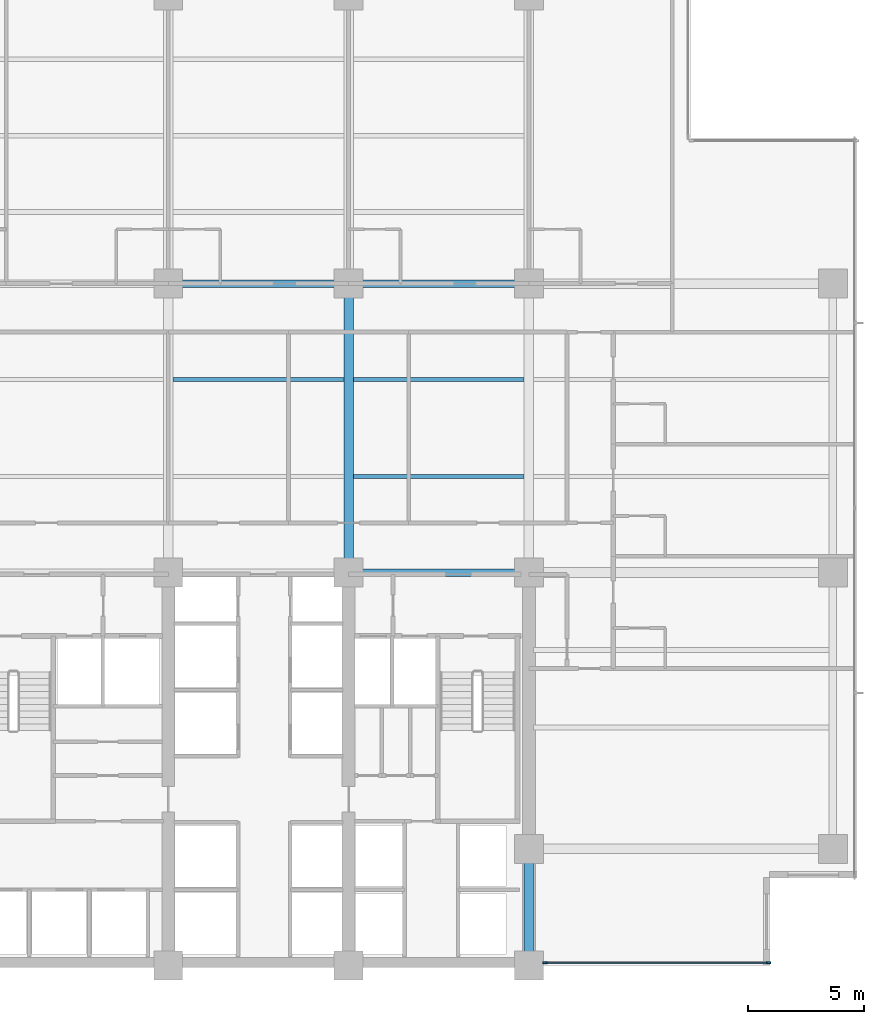
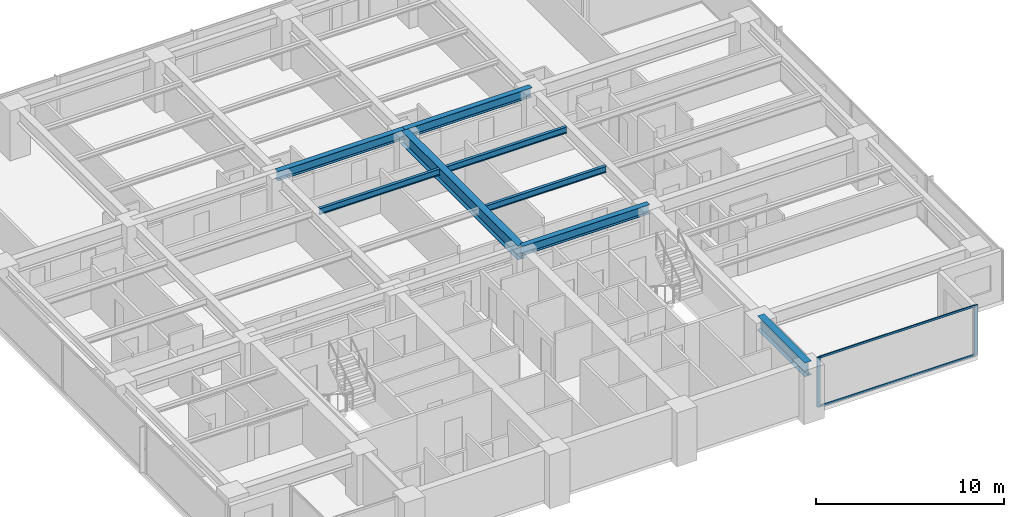
# One storey, part 3 of 17: 8 beams, 4 members, 1 element without a shape of its own.
"""IFC4 building model written with IfcOpenShell, lengths in metres."""

from ifc_helpers import new_model, si_unit, direction, frame, origin, origin_2d, place, context, subcontext, project, spatial, rectangle, i_section, extrude, material, layer, layer_set, material_profile, profile_set, type_object, element, aggregate, save


model = new_model("IFC4")

# Units and contexts
model_context = context("Model", 3, precision=1e-05, world=origin(), true_north=direction((0.0, 1.0)))
body_context = subcontext(model_context, "Body", "Model", "MODEL_VIEW")
ifc_project = project(units=[si_unit("LENGTHUNIT", "METRE"), si_unit("AREAUNIT", "SQUARE_METRE"), si_unit("VOLUMEUNIT", "CUBIC_METRE"), si_unit("PLANEANGLEUNIT", "RADIAN"), si_unit("MASSUNIT", "GRAM", prefix="KILO")], contexts=[model_context])

# Site, building, storey
site_placement = place(None, origin())
site = spatial("IfcSite", under=ifc_project, at=site_placement, CompositionType="ELEMENT")
building_placement = place(site_placement, origin())
building = spatial("IfcBuilding", under=site, at=building_placement, Name="Qalmaran Belvedere Hotel", CompositionType="ELEMENT")
storey_placement = place(building_placement, frame((0.0, 0.0, 88.199951171875)))
storey = spatial("IfcBuildingStorey", under=building, at=storey_placement, Name="L21", CompositionType="ELEMENT", Elevation=88.199951171875)

# Beams
ifc_material_1 = material(Name="Steel S355JR", Category="steel")
ifc_material_profile_1 = material_profile(ifc_material_1, i_section(OverallWidth=0.41796875, OverallDepth=0.912109375, WebThickness=0.019287109375, FlangeThickness=0.031982421875, FilletRadius=0.02392578125, at=origin_2d()), Name="W920X342")
ifc_profile_set_1 = profile_set([ifc_material_profile_1], Name="Steel S355JR")
beam_type_1 = type_object("IfcBeamType", Name="BM-PG2-W920X342", PredefinedType="USERDEFINED", material=ifc_profile_set_1)
beam_1_placement = place(storey_placement, frame((37.0, 20.5, 2.783935546875), z_axis=(0.0, 1.0, 0.0), x_axis=(-1.0, 0.0, 0.0)))
element("IfcBeam", 1, at=beam_1_placement, inside=storey, type_object=beam_type_1, Name="L21 Mid-Plate N-S Girder 18", ObjectType="GIRDER", PredefinedType="USERDEFINED", context=body_context, shape_type="SweptSolid", body=[
    extrude(i_section(OverallWidth=0.41796875, OverallDepth=0.912109375, WebThickness=0.019287109375, FlangeThickness=0.031982421875, FilletRadius=0.02392578125, at=origin_2d()), origin(), (0.0, 0.0, 1.0), 12.5),
])
beam_2_placement = place(storey_placement, frame((44.800048828125, 3.5, 2.783935546875), z_axis=(0.0, 1.0, 0.0), x_axis=(-1.0, 0.0, 0.0)))
element("IfcBeam", 2, at=beam_2_placement, inside=storey, type_object=beam_type_1, Name="L21 East Core Edge Girder A", ObjectType="GIRDER", PredefinedType="USERDEFINED", context=body_context, shape_type="SweptSolid", body=[
    extrude(i_section(OverallWidth=0.41796875, OverallDepth=0.912109375, WebThickness=0.019287109375, FlangeThickness=0.031982421875, FilletRadius=0.02392578125, at=origin_2d()), origin(), (0.0, 0.0, 1.0), 5.050048828125),
])
ifc_material_profile_2 = material_profile(ifc_material_1, i_section(OverallWidth=0.177978515625, OverallDepth=0.406982421875, WebThickness=0.0078125, FlangeThickness=0.0126953125, FilletRadius=0.014892578125, at=origin_2d()), Name="W410X60")
ifc_profile_set_2 = profile_set([ifc_material_profile_2], Name="Steel S355JR")
beam_type_2 = type_object("IfcBeamType", Name="BM-SB2-W410X60", PredefinedType="BEAM", material=ifc_profile_set_2)
for number, where, z_axis, x_axis, name in (
    (3, (37.20703125, 24.64990234375, 3.03662109375), (1.0, 0.0, 0.0), (0.0, 1.0, 0.0), "L21 Secondary Floor Beam 031"),
    (4, (29.406982421875, 28.85009765625, 3.03662109375), (1.0, 0.0, 0.0), (0.0, 1.0, 0.0), "L21 Secondary Floor Beam 035"),
    (5, (37.20703125, 28.85009765625, 3.03662109375), (1.0, 0.0, 0.0), (0.0, 1.0, 0.0), "L21 Secondary Floor Beam 036"),
):
    element("IfcBeam", number, at=place(storey_placement, frame(where, z_axis=z_axis, x_axis=x_axis)), inside=storey, type_object=beam_type_2, Name=name, PredefinedType="BEAM", context=body_context, shape_type="SweptSolid", body=[
        extrude(i_section(OverallWidth=0.177978515625, OverallDepth=0.406982421875, WebThickness=0.0078125, FlangeThickness=0.0126953125, FilletRadius=0.014892578125, at=origin_2d()), origin(), (0.0, 0.0, 1.0), 7.385986328125),
    ])
ifc_material_profile_3 = material_profile(ifc_material_1, i_section(OverallWidth=0.323974609375, OverallDepth=0.611083984375, WebThickness=0.0126953125, FlangeThickness=0.01904296875, FilletRadius=0.02001953125, at=origin_2d()), Name="W610X155")
ifc_profile_set_3 = profile_set([ifc_material_profile_3], Name="Steel S355JR")
beam_type_3 = type_object("IfcBeamType", Name="BM-Z2-W610X155", PredefinedType="USERDEFINED", material=ifc_profile_set_3)
for number, where, z_axis, x_axis, name in (
    (6, (37.0, 20.5, 2.9345703125), (1.0, 0.0, 0.0), (0.0, 1.0, 0.0), "L21 Interior E-W Girder 10"),
    (7, (29.199951171875, 33.0, 2.9345703125), (1.0, 0.0, 0.0), (0.0, 1.0, 0.0), "L21 Interior E-W Girder 12"),
    (8, (37.0, 33.0, 2.9345703125), (1.0, 0.0, 0.0), (0.0, 1.0, 0.0), "L21 Interior E-W Girder 13"),
):
    element("IfcBeam", number, at=place(storey_placement, frame(where, z_axis=z_axis, x_axis=x_axis)), inside=storey, type_object=beam_type_3, Name=name, ObjectType="GIRDER", PredefinedType="USERDEFINED", context=body_context, shape_type="SweptSolid", body=[
        extrude(i_section(OverallWidth=0.323974609375, OverallDepth=0.611083984375, WebThickness=0.0126953125, FlangeThickness=0.01904296875, FilletRadius=0.02001953125, at=origin_2d()), origin(), (0.0, 0.0, 1.0), 7.800048828125),
    ])

# Curtain wall, members
ifc_material_2 = material(Name="Anodised Bronze Aluminium", Category="aluminium")
ifc_layer = layer(ifc_material_2, 0.199951171875, Name="Anodised Bronze Aluminium")
ifc_layer_set = layer_set([ifc_layer], Name="Anodised Bronze Aluminium")
curtain_wall_type = type_object("IfcCurtainWallType", Name="CW3-TOWER-LOWMID", PredefinedType="NOTDEFINED", material=ifc_layer_set)
curtain_wall_placement = place(storey_placement, origin())
curtain_wall = element("IfcCurtainWall", 9, at=curtain_wall_placement, inside=storey, type_object=curtain_wall_type, Name="L21 Curtain Wall CW3", PredefinedType="NOTDEFINED")
ifc_material_profile_4 = material_profile(ifc_material_2, rectangle(XDim=0.070068359375, YDim=0.18994140625, at=origin_2d()), Name="CWM70X190")
ifc_profile_set_4 = profile_set([ifc_material_profile_4], Name="Anodised Bronze Aluminium")
member_type_1 = type_object("IfcMemberType", Name="CWM-70X190", PredefinedType="MULLION", material=ifc_profile_set_4)
member_1_placement = place(storey_placement, frame((45.5, 3.6201171875, 0.0), z_axis=(0.0, 0.0, 1.0), x_axis=(0.0, 1.0, 0.0)))
member_1 = element("IfcMember", 10, at=member_1_placement, type_object=member_type_1, Name="CW3 mullion 1", PredefinedType="MULLION", context=body_context, shape_type="SweptSolid", body=[
    extrude(rectangle(XDim=0.070068359375, YDim=0.18994140625, at=origin_2d()), origin(), (0.0, 0.0, 1.0), 3.239990234375),
])
member_2_placement = place(storey_placement, frame((55.1650390625, 3.6201171875, 0.0), z_axis=(0.0, 0.0, 1.0), x_axis=(0.0, 1.0, 0.0)))
member_2 = element("IfcMember", 11, at=member_2_placement, type_object=member_type_1, Name="CW3 mullion 2", PredefinedType="MULLION", context=body_context, shape_type="SweptSolid", body=[
    extrude(rectangle(XDim=0.070068359375, YDim=0.18994140625, at=origin_2d()), origin(), (0.0, 0.0, 1.0), 3.239990234375),
])
ifc_material_profile_5 = material_profile(ifc_material_2, rectangle(XDim=0.06494140625, YDim=0.1298828125, at=origin_2d()), Name="CWT65X130")
ifc_profile_set_5 = profile_set([ifc_material_profile_5], Name="Anodised Bronze Aluminium")
member_type_2 = type_object("IfcMemberType", Name="CWT-65X130", PredefinedType="USERDEFINED", material=ifc_profile_set_5)
member_3_placement = place(storey_placement, frame((45.534912109375, 3.6201171875, 0.032470703125), z_axis=(1.0, 0.0, 0.0), x_axis=(0.0, 1.0, 0.0)))
member_3 = element("IfcMember", 12, at=member_3_placement, type_object=member_type_2, Name="CW3 transom 1.1", ObjectType="TRANSOM", PredefinedType="USERDEFINED", context=body_context, shape_type="SweptSolid", body=[
    extrude(rectangle(XDim=0.06494140625, YDim=0.1298828125, at=origin_2d()), origin(), (0.0, 0.0, 1.0), 9.594970703125),
])
member_4_placement = place(storey_placement, frame((45.534912109375, 3.6201171875, 3.20751953125), z_axis=(1.0, 0.0, 0.0), x_axis=(0.0, 1.0, 0.0)))
member_4 = element("IfcMember", 13, at=member_4_placement, type_object=member_type_2, Name="CW3 transom 1.2", ObjectType="TRANSOM", PredefinedType="USERDEFINED", context=body_context, shape_type="SweptSolid", body=[
    extrude(rectangle(XDim=0.06494140625, YDim=0.1298828125, at=origin_2d()), origin(), (0.0, 0.0, 1.0), 9.594970703125),
])
aggregate(curtain_wall, [member_1, member_2, member_3, member_4])

save(model, "model.ifc")
